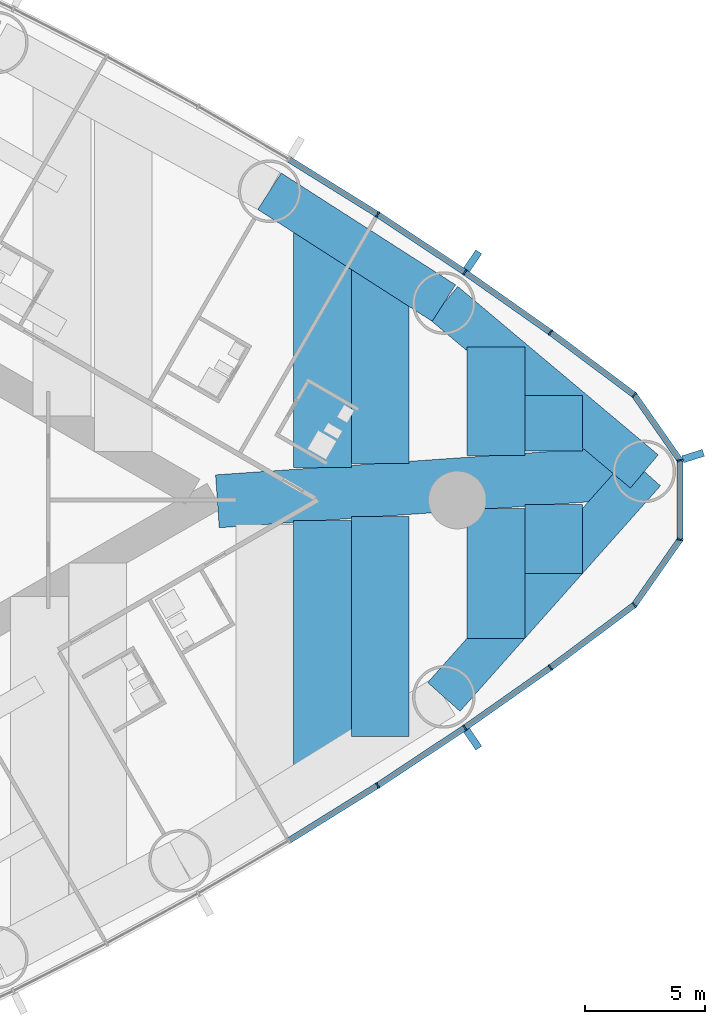
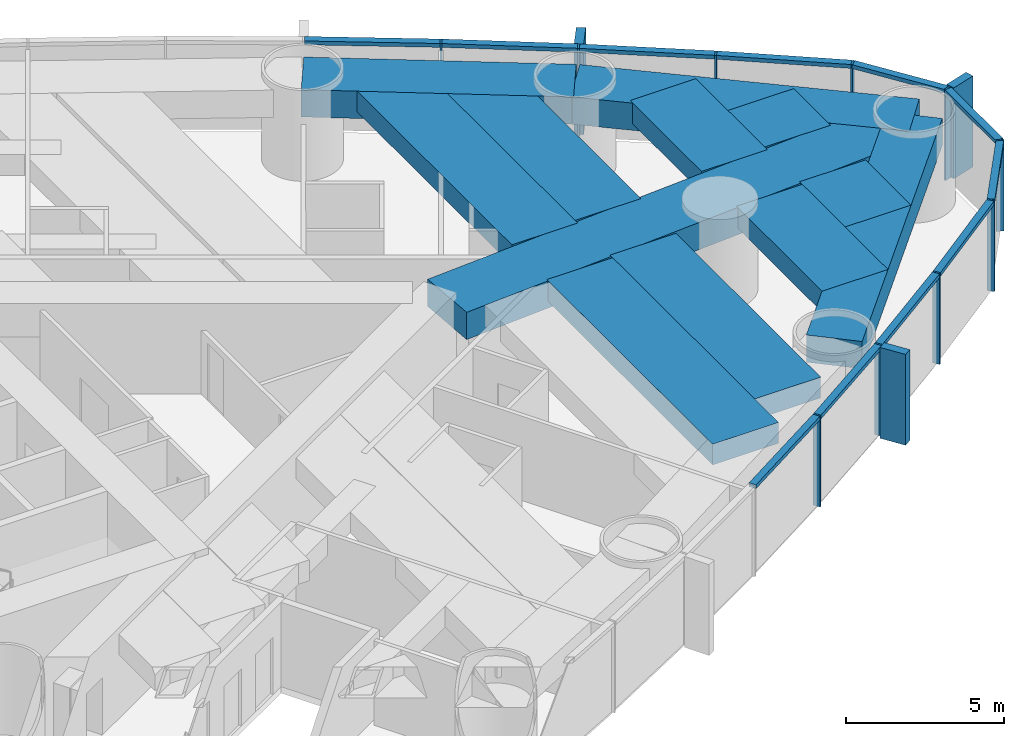
# One storey, part 8 of 18: 24 members, 12 beams, 1 element without a shape of its own.
"""IFC4 building model written with IfcOpenShell, lengths in metres."""

from ifc_helpers import new_model, si_unit, direction, frame, origin, origin_2d, place, context, subcontext, project, spatial, rectangle, extrude, material, material_profile, profile_set, type_object, element, aggregate, save


model = new_model("IFC4")

# Units and contexts
model_context = context("Model", 3, precision=1e-05, world=origin(), true_north=direction((0.0, 1.0)))
body_context = subcontext(model_context, "Body", "Model", "MODEL_VIEW")
ifc_project = project(units=[si_unit("LENGTHUNIT", "METRE"), si_unit("AREAUNIT", "SQUARE_METRE"), si_unit("VOLUMEUNIT", "CUBIC_METRE"), si_unit("PLANEANGLEUNIT", "RADIAN"), si_unit("MASSUNIT", "GRAM", prefix="KILO")], contexts=[model_context])

# Site, building, storey
site_placement = place(None, origin())
site = spatial("IfcSite", under=ifc_project, at=site_placement, CompositionType="ELEMENT")
building_placement = place(site_placement, origin())
building = spatial("IfcBuilding", under=site, at=building_placement, Name="Lancet Gate Hotel", CompositionType="ELEMENT")
storey_placement = place(building_placement, frame((0.0, 0.0, 125.60009765625)))
storey = spatial("IfcBuildingStorey", under=building, at=storey_placement, Name="L33", CompositionType="ELEMENT", Elevation=125.60009765625)

# Curtain wall, members
ifc_material_1 = material(Name="Aluminium curtain wall", Category="aluminium")
curtain_wall_type = type_object("IfcCurtainWallType", Name="Tower unitised curtain wall", PredefinedType="USERDEFINED", material=ifc_material_1)
curtain_wall_placement = place(storey_placement, origin())
curtain_wall = element("IfcCurtainWall", 1, at=curtain_wall_placement, inside=storey, type_object=curtain_wall_type, Name="T2 L33 curtain wall 1", ObjectType="UNITISED CURTAIN WALL", PredefinedType="USERDEFINED")
ifc_material_2 = material(Name="Aluminium mullion", Category="aluminium")
ifc_material_profile_1 = material_profile(ifc_material_2, rectangle(XDim=0.06494140625, YDim=0.25, at=origin_2d()), Name="MULLION 65x250")
ifc_profile_set_1 = profile_set([ifc_material_profile_1], Name="Aluminium mullion")
member_type_1 = type_object("IfcMemberType", Name="Aluminium mullion 65x250", PredefinedType="MULLION", material=ifc_profile_set_1)
member_1_placement = place(storey_placement, frame((58.188720703125, -11.8603515625, 0.0), z_axis=(0.0, 0.0, 1.0), x_axis=(0.841736224144, 0.539888996891, 0.0)))
member_1 = element("IfcMember", 2, at=member_1_placement, type_object=member_type_1, Name="T2 L33 curtain wall 1 mullion 13", PredefinedType="MULLION", context=body_context, shape_type="SweptSolid", body=[
    extrude(rectangle(XDim=0.06494140625, YDim=0.25, at=origin_2d()), origin(), (0.0, 0.0, 1.0), 3.5),
])
member_2_placement = place(storey_placement, frame((61.814208984375, -9.461669921875, 0.0), z_axis=(0.0, 0.0, 1.0), x_axis=(0.826065510491, 0.563574105489, 0.0)))
member_2 = element("IfcMember", 3, at=member_2_placement, type_object=member_type_1, Name="T2 L33 curtain wall 1 mullion 14", PredefinedType="MULLION", context=body_context, shape_type="SweptSolid", body=[
    extrude(rectangle(XDim=0.06494140625, YDim=0.25, at=origin_2d()), origin(), (0.0, 0.0, 1.0), 3.5),
])
member_3_placement = place(storey_placement, frame((65.370361328125, -6.9609375, 0.0), z_axis=(0.0, 0.0, 1.0), x_axis=(0.809728529035, 0.586804660229, 0.0)))
member_3 = element("IfcMember", 4, at=member_3_placement, type_object=member_type_1, Name="T2 L33 curtain wall 1 mullion 15", PredefinedType="MULLION", context=body_context, shape_type="SweptSolid", body=[
    extrude(rectangle(XDim=0.06494140625, YDim=0.25, at=origin_2d()), origin(), (0.0, 0.0, 1.0), 3.5),
])
member_4_placement = place(storey_placement, frame((68.853759765625, -4.360107421875, 0.0), z_axis=(0.0, 0.0, 1.0), x_axis=(0.711610374907, 0.702574319432, 0.0)))
member_4 = element("IfcMember", 5, at=member_4_placement, type_object=member_type_1, Name="T2 L33 curtain wall 1 mullion 16", PredefinedType="MULLION", context=body_context, shape_type="SweptSolid", body=[
    extrude(rectangle(XDim=0.06494140625, YDim=0.25, at=origin_2d()), origin(), (0.0, 0.0, 1.0), 3.5),
])
member_5_placement = place(storey_placement, frame((70.747314453125, -1.652099609375, 0.0), z_axis=(0.0, 0.0, 1.0), x_axis=(0.300384890639, 0.953818073574, 0.0)))
member_5 = element("IfcMember", 6, at=member_5_placement, type_object=member_type_1, Name="T2 L33 curtain wall 1 mullion 17", PredefinedType="MULLION", context=body_context, shape_type="SweptSolid", body=[
    extrude(rectangle(XDim=0.06494140625, YDim=0.25, at=origin_2d()), origin(), (0.0, 0.0, 1.0), 3.5),
])
member_6_placement = place(storey_placement, frame((70.747314453125, 1.652099609375, 0.0), z_axis=(0.0, 0.0, 1.0), x_axis=(-0.300384890639, 0.953818073574, 0.0)))
member_6 = element("IfcMember", 7, at=member_6_placement, type_object=member_type_1, Name="T2 L33 curtain wall 1 mullion 18", PredefinedType="MULLION", context=body_context, shape_type="SweptSolid", body=[
    extrude(rectangle(XDim=0.06494140625, YDim=0.25, at=origin_2d()), origin(), (0.0, 0.0, 1.0), 3.5),
])
member_7_placement = place(storey_placement, frame((68.853759765625, 4.360107421875, 0.0), z_axis=(0.0, 0.0, 1.0), x_axis=(-0.711610374907, 0.702574319432, 0.0)))
member_7 = element("IfcMember", 8, at=member_7_placement, type_object=member_type_1, Name="T2 L33 curtain wall 1 mullion 19", PredefinedType="MULLION", context=body_context, shape_type="SweptSolid", body=[
    extrude(rectangle(XDim=0.06494140625, YDim=0.25, at=origin_2d()), origin(), (0.0, 0.0, 1.0), 3.5),
])
member_8_placement = place(storey_placement, frame((65.370361328125, 6.9609375, 0.0), z_axis=(0.0, 0.0, 1.0), x_axis=(-0.809728529035, 0.586804660229, 0.0)))
member_8 = element("IfcMember", 9, at=member_8_placement, type_object=member_type_1, Name="T2 L33 curtain wall 1 mullion 20", PredefinedType="MULLION", context=body_context, shape_type="SweptSolid", body=[
    extrude(rectangle(XDim=0.06494140625, YDim=0.25, at=origin_2d()), origin(), (0.0, 0.0, 1.0), 3.5),
])
member_9_placement = place(storey_placement, frame((61.814208984375, 9.461669921875, 0.0), z_axis=(0.0, 0.0, 1.0), x_axis=(-0.826065510491, 0.563574105489, 0.0)))
member_9 = element("IfcMember", 10, at=member_9_placement, type_object=member_type_1, Name="T2 L33 curtain wall 1 mullion 21", PredefinedType="MULLION", context=body_context, shape_type="SweptSolid", body=[
    extrude(rectangle(XDim=0.06494140625, YDim=0.25, at=origin_2d()), origin(), (0.0, 0.0, 1.0), 3.5),
])
member_10_placement = place(storey_placement, frame((58.188720703125, 11.8603515625, 0.0), z_axis=(0.0, 0.0, 1.0), x_axis=(-0.841736224144, 0.539888996891, 0.0)))
member_10 = element("IfcMember", 11, at=member_10_placement, type_object=member_type_1, Name="T2 L33 curtain wall 1 mullion 22", PredefinedType="MULLION", context=body_context, shape_type="SweptSolid", body=[
    extrude(rectangle(XDim=0.06494140625, YDim=0.25, at=origin_2d()), origin(), (0.0, 0.0, 1.0), 3.5),
])
ifc_material_3 = material(Name="Aluminium transom", Category="aluminium")
ifc_material_profile_2 = material_profile(ifc_material_3, rectangle(XDim=0.25, YDim=0.14990234375, at=origin_2d()), Name="TRANSOM 250x150")
ifc_profile_set_2 = profile_set([ifc_material_profile_2], Name="Aluminium transom")
member_type_2 = type_object("IfcMemberType", Name="Aluminium transom 250x150", PredefinedType="USERDEFINED", material=ifc_profile_set_2)
member_11_placement = place(storey_placement, frame((54.52392578125, -14.13818359375, 3.4248046875), z_axis=(0.849308812566, 0.527896335371, 0.0), x_axis=(-0.527896335371, 0.849308812566, 0.0)))
member_11 = element("IfcMember", 12, at=member_11_placement, type_object=member_type_2, Name="T2 L33 curtain wall 1 transom 12", ObjectType="TRANSOM", PredefinedType="USERDEFINED", context=body_context, shape_type="SweptSolid", body=[
    extrude(rectangle(XDim=0.25, YDim=0.14990234375, at=origin_2d()), origin(), (0.0, 0.0, 1.0), 4.282470703125),
])
member_12_placement = place(storey_placement, frame((58.2158203125, -11.842529296875, 3.4248046875), z_axis=(0.833966159038, 0.551815590192, 0.0), x_axis=(-0.551815590192, 0.833966159038, 0.0)))
member_12 = element("IfcMember", 13, at=member_12_placement, type_object=member_type_2, Name="T2 L33 curtain wall 1 transom 13", ObjectType="TRANSOM", PredefinedType="USERDEFINED", context=body_context, shape_type="SweptSolid", body=[
    extrude(rectangle(XDim=0.25, YDim=0.14990234375, at=origin_2d()), origin(), (0.0, 0.0, 1.0), 4.2822265625),
])
member_13_placement = place(storey_placement, frame((61.8408203125, -9.44287109375, 3.4248046875), z_axis=(0.817987243547, 0.57523635959, 0.0), x_axis=(-0.57523635959, 0.817987243547, 0.0)))
member_13 = element("IfcMember", 14, at=member_13_placement, type_object=member_type_2, Name="T2 L33 curtain wall 1 transom 14", ObjectType="TRANSOM", PredefinedType="USERDEFINED", context=body_context, shape_type="SweptSolid", body=[
    extrude(rectangle(XDim=0.25, YDim=0.14990234375, at=origin_2d()), origin(), (0.0, 0.0, 1.0), 4.282470703125),
])
member_14_placement = place(storey_placement, frame((65.396240234375, -6.94140625, 3.4248046875), z_axis=(0.801311559064, 0.598247261014, 0.0), x_axis=(-0.598247261014, 0.801311559064, 0.0)))
member_14 = element("IfcMember", 15, at=member_14_placement, type_object=member_type_2, Name="T2 L33 curtain wall 1 transom 15", ObjectType="TRANSOM", PredefinedType="USERDEFINED", context=body_context, shape_type="SweptSolid", body=[
    extrude(rectangle(XDim=0.25, YDim=0.14990234375, at=origin_2d()), origin(), (0.0, 0.0, 1.0), 4.282470703125),
])
member_15_placement = place(storey_placement, frame((68.87255859375, -4.33349609375, 3.4248046875), z_axis=(0.573017137751, 0.819543384967, 0.0), x_axis=(-0.819543384967, 0.573017137751, 0.0)))
member_15 = element("IfcMember", 16, at=member_15_placement, type_object=member_type_2, Name="T2 L33 curtain wall 1 transom 16", ObjectType="TRANSOM", PredefinedType="USERDEFINED", context=body_context, shape_type="SweptSolid", body=[
    extrude(rectangle(XDim=0.25, YDim=0.14990234375, at=origin_2d()), origin(), (0.0, 0.0, 1.0), 3.2392578125),
])
member_16_placement = place(storey_placement, frame((70.747314453125, -1.61962890625, 3.4248046875), z_axis=(0.0, 1.0, 0.0), x_axis=(-1.0, 0.0, 0.0)))
member_16 = element("IfcMember", 17, at=member_16_placement, type_object=member_type_2, Name="T2 L33 curtain wall 1 transom 17", ObjectType="TRANSOM", PredefinedType="USERDEFINED", context=body_context, shape_type="SweptSolid", body=[
    extrude(rectangle(XDim=0.25, YDim=0.14990234375, at=origin_2d()), origin(), (0.0, 0.0, 1.0), 3.2392578125),
])
member_17_placement = place(storey_placement, frame((70.728759765625, 1.6787109375, 3.4248046875), z_axis=(-0.573017137751, 0.819543384967, 0.0), x_axis=(-0.819543384967, -0.573017137751, 0.0)))
member_17 = element("IfcMember", 18, at=member_17_placement, type_object=member_type_2, Name="T2 L33 curtain wall 1 transom 18", ObjectType="TRANSOM", PredefinedType="USERDEFINED", context=body_context, shape_type="SweptSolid", body=[
    extrude(rectangle(XDim=0.25, YDim=0.14990234375, at=origin_2d()), origin(), (0.0, 0.0, 1.0), 3.2392578125),
])
member_18_placement = place(storey_placement, frame((68.827880859375, 4.37939453125, 3.4248046875), z_axis=(-0.801311559064, 0.598247261014, 0.0), x_axis=(-0.598247261014, -0.801311559064, 0.0)))
member_18 = element("IfcMember", 19, at=member_18_placement, type_object=member_type_2, Name="T2 L33 curtain wall 1 transom 19", ObjectType="TRANSOM", PredefinedType="USERDEFINED", context=body_context, shape_type="SweptSolid", body=[
    extrude(rectangle(XDim=0.25, YDim=0.14990234375, at=origin_2d()), origin(), (0.0, 0.0, 1.0), 4.282470703125),
])
member_19_placement = place(storey_placement, frame((65.34375, 6.9794921875, 3.4248046875), z_axis=(-0.817987243547, 0.57523635959, 0.0), x_axis=(-0.57523635959, -0.817987243547, 0.0)))
member_19 = element("IfcMember", 20, at=member_19_placement, type_object=member_type_2, Name="T2 L33 curtain wall 1 transom 20", ObjectType="TRANSOM", PredefinedType="USERDEFINED", context=body_context, shape_type="SweptSolid", body=[
    extrude(rectangle(XDim=0.25, YDim=0.14990234375, at=origin_2d()), origin(), (0.0, 0.0, 1.0), 4.282470703125),
])
member_20_placement = place(storey_placement, frame((61.787109375, 9.4794921875, 3.4248046875), z_axis=(-0.833966159038, 0.551815590192, 0.0), x_axis=(-0.551815590192, -0.833966159038, 0.0)))
member_20 = element("IfcMember", 21, at=member_20_placement, type_object=member_type_2, Name="T2 L33 curtain wall 1 transom 21", ObjectType="TRANSOM", PredefinedType="USERDEFINED", context=body_context, shape_type="SweptSolid", body=[
    extrude(rectangle(XDim=0.25, YDim=0.14990234375, at=origin_2d()), origin(), (0.0, 0.0, 1.0), 4.2822265625),
])
member_21_placement = place(storey_placement, frame((58.1611328125, 11.87744140625, 3.4248046875), z_axis=(-0.849308812566, 0.527896335371, 0.0), x_axis=(-0.527896335371, -0.849308812566, 0.0)))
member_21 = element("IfcMember", 22, at=member_21_placement, type_object=member_type_2, Name="T2 L33 curtain wall 1 transom 22", ObjectType="TRANSOM", PredefinedType="USERDEFINED", context=body_context, shape_type="SweptSolid", body=[
    extrude(rectangle(XDim=0.25, YDim=0.14990234375, at=origin_2d()), origin(), (0.0, 0.0, 1.0), 4.282470703125),
])

# Beams
ifc_material_4 = material(Name="Concrete C50/60", Category="concrete")
ifc_material_profile_3 = material_profile(ifc_material_4, rectangle(XDim=1.800048828125, YDim=1.050048828125, at=origin_2d()), Name="RC 1800x1050")
ifc_profile_set_3 = profile_set([ifc_material_profile_3], Name="Concrete C50/60")
beam_type_1 = type_object("IfcBeamType", Name="Edge beam RC 1800x1050", PredefinedType="SPANDREL", material=ifc_profile_set_3)
beam_1_placement = place(storey_placement, frame((60.940673828125, -8.18115234375, 2.724853515625), z_axis=(0.664421866815, 0.74735773422, 0.0), x_axis=(-0.74735773422, 0.664421866815, 0.0)))
element("IfcBeam", 23, at=beam_1_placement, inside=storey, type_object=beam_type_1, Name="T2 edge beam EB1 L33", PredefinedType="SPANDREL", context=body_context, shape_type="SweptSolid", body=[
    extrude(rectangle(XDim=1.800048828125, YDim=1.050048828125, at=origin_2d()), origin(), (0.0, 0.0, 1.0), 12.534423828125),
])
beam_2_placement = place(storey_placement, frame((69.268798828125, 1.1865234375, 2.724853515625), z_axis=(-0.765749969712, 0.643138386264, 0.0), x_axis=(-0.643138386264, -0.765749969712, 0.0)))
element("IfcBeam", 24, at=beam_2_placement, inside=storey, type_object=beam_type_1, Name="T2 edge beam EB1 L33", PredefinedType="SPANDREL", context=body_context, shape_type="SweptSolid", body=[
    extrude(rectangle(XDim=1.800048828125, YDim=1.050048828125, at=origin_2d()), origin(), (0.0, 0.0, 1.0), 10.875732421875),
])
beam_3_placement = place(storey_placement, frame((60.940673828125, 8.18115234375, 2.724853515625), z_axis=(-0.841727408736, 0.539902740669, 0.0), x_axis=(-0.539902740669, -0.841727408736, 0.0)))
element("IfcBeam", 25, at=beam_3_placement, inside=storey, type_object=beam_type_1, Name="T2 edge beam EB1 L33", PredefinedType="SPANDREL", context=body_context, shape_type="SweptSolid", body=[
    extrude(rectangle(XDim=1.800048828125, YDim=1.050048828125, at=origin_2d()), origin(), (0.0, 0.0, 1.0), 8.605712890625),
])

# Member
ifc_material_5 = material(Name="Precast concrete C50/60", Category="concrete")
ifc_material_profile_4 = material_profile(ifc_material_5, rectangle(XDim=0.300048828125, YDim=0.89990234375, at=origin_2d()), Name="FIN 300x900")
ifc_profile_set_4 = profile_set([ifc_material_profile_4], Name="Precast concrete C50/60")
member_type_3 = type_object("IfcMemberType", Name="Exposed concrete fin 300x900", PredefinedType="USERDEFINED", material=ifc_profile_set_4)
member_22_placement = place(storey_placement, frame((62.138427734375, -9.9365234375, 0.0), z_axis=(0.0, 0.0, 1.0), x_axis=(0.826065510491, 0.563574105489, 0.0)))
member_22 = element("IfcMember", 26, at=member_22_placement, type_object=member_type_3, Name="T2 L33 curtain wall 1 fin 14", ObjectType="FIN", PredefinedType="USERDEFINED", context=body_context, shape_type="SweptSolid", body=[
    extrude(rectangle(XDim=0.300048828125, YDim=0.89990234375, at=origin_2d()), origin(), (0.0, 0.0, 1.0), 3.5),
])

member_23_placement = place(storey_placement, frame((71.295654296875, 1.824951171875, 0.0), z_axis=(0.0, 0.0, 1.0), x_axis=(-0.300384890639, 0.953818073574, 0.0)))
member_23 = element("IfcMember", 27, at=member_23_placement, type_object=member_type_3, Name="T2 L33 curtain wall 1 fin 18", ObjectType="FIN", PredefinedType="USERDEFINED", context=body_context, shape_type="SweptSolid", body=[
    extrude(rectangle(XDim=0.300048828125, YDim=0.89990234375, at=origin_2d()), origin(), (0.0, 0.0, 1.0), 3.5),
])

member_24_placement = place(storey_placement, frame((62.138427734375, 9.9365234375, 0.0), z_axis=(0.0, 0.0, 1.0), x_axis=(-0.826065510491, 0.563574105489, 0.0)))
member_24 = element("IfcMember", 28, at=member_24_placement, type_object=member_type_3, Name="T2 L33 curtain wall 1 fin 21", ObjectType="FIN", PredefinedType="USERDEFINED", context=body_context, shape_type="SweptSolid", body=[
    extrude(rectangle(XDim=0.300048828125, YDim=0.89990234375, at=origin_2d()), origin(), (0.0, 0.0, 1.0), 3.5),
])

aggregate(curtain_wall, [member_1, member_2, member_22, member_3, member_4, member_5, member_6, member_23, member_7, member_8, member_9, member_24, member_10, member_11, member_12, member_13, member_14, member_15, member_16, member_17, member_18, member_19, member_20, member_21])

# Beams
ifc_material_6 = material(Name="Concrete C50/60", Category="concrete")
ifc_material_profile_5 = material_profile(ifc_material_6, rectangle(XDim=2.39990234375, YDim=0.800048828125, at=origin_2d()), Name="RC 2400x800")
ifc_profile_set_5 = profile_set([ifc_material_profile_5], Name="Concrete C50/60")
beam_type_2 = type_object("IfcBeamType", Name="Floor beam RC 2400x800", PredefinedType="BEAM", material=ifc_profile_set_5)
beam_4_placement = place(storey_placement, frame((55.90234375, -11.312744140625, 2.849853515625), z_axis=(0.0, 1.0, 0.0), x_axis=(-1.0, 0.0, 0.0)))
element("IfcBeam", 29, at=beam_4_placement, inside=storey, type_object=beam_type_2, Name="T2 floor beam F14S L33", PredefinedType="BEAM", context=body_context, shape_type="SweptSolid", body=[
    extrude(rectangle(XDim=2.39990234375, YDim=0.800048828125, at=origin_2d()), origin(), (0.0, 0.0, 1.0), 10.4619140625),
])
beam_5_placement = place(storey_placement, frame((55.90234375, 1.3544921875, 2.849853515625), z_axis=(0.0, 1.0, 0.0), x_axis=(-1.0, 0.0, 0.0)))
element("IfcBeam", 30, at=beam_5_placement, inside=storey, type_object=beam_type_2, Name="T2 floor beam F15N L33", PredefinedType="BEAM", context=body_context, shape_type="SweptSolid", body=[
    extrude(rectangle(XDim=2.39990234375, YDim=0.800048828125, at=origin_2d()), origin(), (0.0, 0.0, 1.0), 10.058349609375),
])
beam_6_placement = place(storey_placement, frame((58.30224609375, -9.821044921875, 2.849853515625), z_axis=(0.0, 1.0, 0.0), x_axis=(-1.0, 0.0, 0.0)))
element("IfcBeam", 31, at=beam_6_placement, inside=storey, type_object=beam_type_2, Name="T2 floor beam F16S L33", PredefinedType="BEAM", context=body_context, shape_type="SweptSolid", body=[
    extrude(rectangle(XDim=2.39990234375, YDim=0.800048828125, at=origin_2d()), origin(), (0.0, 0.0, 1.0), 9.137939453125),
])
beam_7_placement = place(storey_placement, frame((58.30224609375, 1.522216796875, 2.849853515625), z_axis=(0.0, 1.0, 0.0), x_axis=(-1.0, 0.0, 0.0)))
element("IfcBeam", 32, at=beam_7_placement, inside=storey, type_object=beam_type_2, Name="T2 floor beam F17N L33", PredefinedType="BEAM", context=body_context, shape_type="SweptSolid", body=[
    extrude(rectangle(XDim=2.39990234375, YDim=0.800048828125, at=origin_2d()), origin(), (0.0, 0.0, 1.0), 8.351318359375),
])
beam_8_placement = place(storey_placement, frame((63.102294921875, -5.75, 2.849853515625), z_axis=(0.0, 1.0, 0.0), x_axis=(-1.0, 0.0, 0.0)))
element("IfcBeam", 33, at=beam_8_placement, inside=storey, type_object=beam_type_2, Name="T2 floor beam F18S L33", PredefinedType="BEAM", context=body_context, shape_type="SweptSolid", body=[
    extrude(rectangle(XDim=2.39990234375, YDim=0.800048828125, at=origin_2d()), origin(), (0.0, 0.0, 1.0), 5.402587890625),
])
beam_9_placement = place(storey_placement, frame((63.102294921875, 1.85791015625, 2.849853515625), z_axis=(0.0, 1.0, 0.0), x_axis=(-1.0, 0.0, 0.0)))
element("IfcBeam", 34, at=beam_9_placement, inside=storey, type_object=beam_type_2, Name="T2 floor beam F19N L33", PredefinedType="BEAM", context=body_context, shape_type="SweptSolid", body=[
    extrude(rectangle(XDim=2.39990234375, YDim=0.800048828125, at=origin_2d()), origin(), (0.0, 0.0, 1.0), 4.5078125),
])
beam_10_placement = place(storey_placement, frame((65.502197265625, -3.05029296875, 2.849853515625), z_axis=(0.0, 1.0, 0.0), x_axis=(-1.0, 0.0, 0.0)))
element("IfcBeam", 35, at=beam_10_placement, inside=storey, type_object=beam_type_2, Name="T2 floor beam F20S L33", PredefinedType="BEAM", context=body_context, shape_type="SweptSolid", body=[
    extrude(rectangle(XDim=2.39990234375, YDim=0.800048828125, at=origin_2d()), origin(), (0.0, 0.0, 1.0), 2.87060546875),
])
beam_11_placement = place(storey_placement, frame((65.502197265625, 2.02587890625, 2.849853515625), z_axis=(0.0, 1.0, 0.0), x_axis=(-1.0, 0.0, 0.0)))
element("IfcBeam", 36, at=beam_11_placement, inside=storey, type_object=beam_type_2, Name="T2 floor beam F21N L33", PredefinedType="BEAM", context=body_context, shape_type="SweptSolid", body=[
    extrude(rectangle(XDim=2.39990234375, YDim=0.800048828125, at=origin_2d()), origin(), (0.0, 0.0, 1.0), 2.32421875),
])
ifc_material_7 = material(Name="Concrete C50/60", Category="concrete")
ifc_material_profile_6 = material_profile(ifc_material_7, rectangle(XDim=2.199951171875, YDim=1.050048828125, at=origin_2d()), Name="RC 2200x1050")
ifc_profile_set_6 = profile_set([ifc_material_profile_6], Name="Concrete C50/60")
beam_type_3 = type_object("IfcBeamType", Name="Radial floor beam RC 2200x1050", PredefinedType="BEAM", material=ifc_profile_set_6)
beam_12_placement = place(storey_placement, frame((69.268798828125, 1.1865234375, 2.724853515625), z_axis=(-0.99756389092, -0.069758752369, 0.0), x_axis=(0.069758752369, -0.99756389092, 0.0)))
element("IfcBeam", 37, at=beam_12_placement, inside=storey, type_object=beam_type_3, Name="T2 radial beam CA L33", PredefinedType="BEAM", context=body_context, shape_type="SweptSolid", body=[
    extrude(rectangle(XDim=2.199951171875, YDim=1.050048828125, at=origin_2d()), origin(), (0.0, 0.0, 1.0), 17.77880859375),
])

save(model, "model.ifc")
